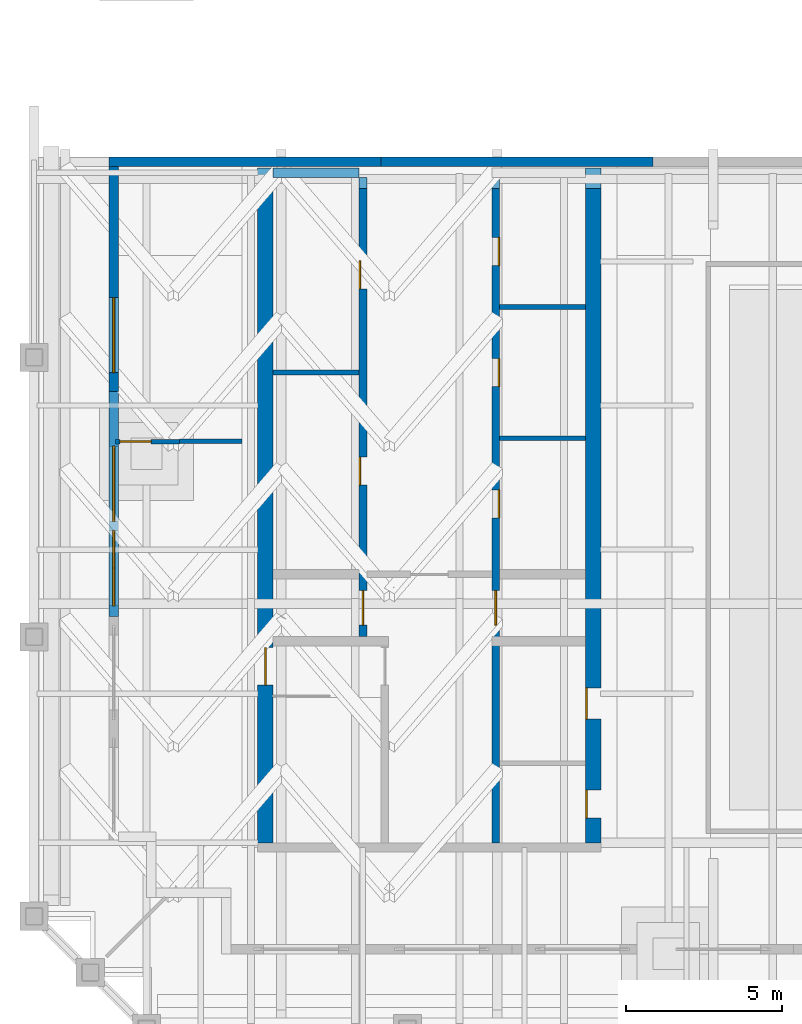
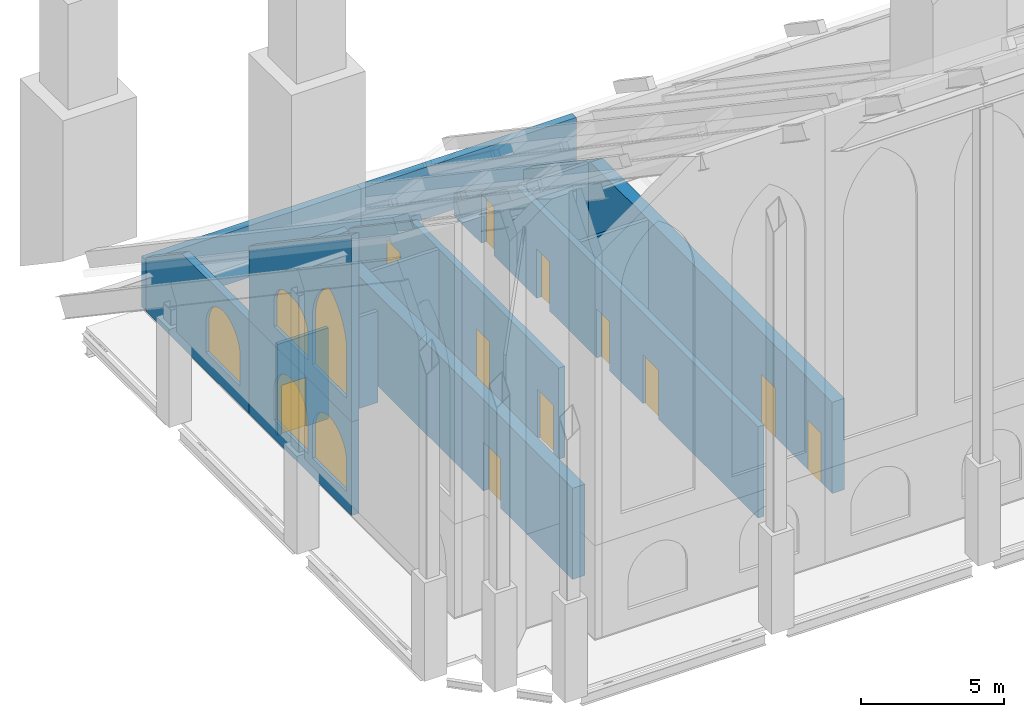
# One storey, part 5 of 9: 15 walls, 11 doors, 5 windows, 16 openings.
"""IFC4 building model written with IfcOpenShell, lengths in metres."""

from ifc_helpers import new_model, si_unit, direction, frame, frame_2d, origin, place, context, subcontext, project, spatial, polyline, rectangle, outline, extrude, material, layer, layer_set, type_object, element, fill, save


model = new_model("IFC4")

# Units and contexts
model_context = context("Model", 3, precision=1e-05, world=origin(), true_north=direction((0.0, 1.0)))
body_context = subcontext(model_context, "Body", "Model", "MODEL_VIEW")
ifc_project = project(units=[si_unit("LENGTHUNIT", "METRE"), si_unit("AREAUNIT", "SQUARE_METRE"), si_unit("VOLUMEUNIT", "CUBIC_METRE"), si_unit("PLANEANGLEUNIT", "RADIAN"), si_unit("MASSUNIT", "GRAM", prefix="KILO")], contexts=[model_context])

# Site, building, storey
site_placement = place(None, origin())
site = spatial("IfcSite", under=ifc_project, at=site_placement, CompositionType="ELEMENT")
building_placement = place(site_placement, origin())
building = spatial("IfcBuilding", under=site, at=building_placement, Name="Ogive Exchange Tower", CompositionType="ELEMENT")
storey_placement = place(building_placement, frame((0.0, 0.0, 394.199951171875)))
storey = spatial("IfcBuildingStorey", under=building, at=storey_placement, Name="C07", CompositionType="ELEMENT", Elevation=394.199951171875)

# Walls
ifc_material_1 = material(Name="Gypsum board partition")
ifc_layer_1 = layer(ifc_material_1, 0.14990234375)
ifc_layer_set_1 = layer_set([ifc_layer_1], Name="Core room partition 150 gypsum")
wall_type_1 = type_object("IfcWallType", Name="Core room partition 150 gypsum", PredefinedType="PARTITIONING", material=ifc_layer_set_1)
for number, where, z_axis, x_axis, name in (
    (1, (-21.0, 12.60009765625, 0.0), (0.0, 0.0, 1.0), (1.0, 0.0, 0.0), "W row A bay partition 1-1"),
    (2, (-13.75, 10.5, 0.0), (0.0, 0.0, 1.0), (1.0, 0.0, 0.0), "W row B bay partition 1-1"),
):
    element("IfcWall", number, at=place(storey_placement, frame(where, z_axis=z_axis, x_axis=x_axis)), inside=storey, type_object=wall_type_1, Name=name, PredefinedType="PARTITIONING", context=body_context, shape_type="SweptSolid", body=[
        extrude(rectangle(XDim=2.75, YDim=0.14990234375, at=frame_2d((1.375, 0.0))), origin(), (0.0, 0.0, 1.0), 3.900146484375),
    ])
wall_1_placement = place(storey_placement, frame((-13.75, 14.699951171875, 0.0), z_axis=(0.0, 0.0, 1.0), x_axis=(1.0, 0.0, 0.0)))
element("IfcWall", 3, at=wall_1_placement, inside=storey, type_object=wall_type_1, Name="W row B bay partition 1-2", PredefinedType="PARTITIONING", context=body_context, shape_type="SweptSolid", body=[
    extrude(outline(polyline([(0.0, 0.0), (2.75, 0.0), (2.75, 3.758056640625), (0.0, 3.758056640625), (0.0, 0.0)])), frame((0.0, 0.074951171875, 0.0), z_axis=(0.0, -1.0, 0.0), x_axis=(1.0, 0.0, 0.0)), (0.0, 0.0, 1.0), 0.14990234375),
])
ifc_layer_2 = layer(ifc_material_1, 0.300048828125)
ifc_layer_set_2 = layer_set([ifc_layer_2], Name="Core room partition 300 gypsum")
wall_type_2 = type_object("IfcWallType", Name="Core room partition 300 gypsum", PredefinedType="PARTITIONING", material=ifc_layer_set_2)
wall_2_placement = place(storey_placement, frame((-21.0, 19.0, 0.0), z_axis=(0.0, 0.0, 1.0), x_axis=(1.0, 0.0, 0.0)))
element("IfcWall", 4, at=wall_2_placement, inside=storey, type_object=wall_type_2, Name="W row A room end wall 7", PredefinedType="PARTITIONING", context=body_context, shape_type="SweptSolid", body=[
    extrude(outline(polyline([(0.0, 0.0), (2.75, 0.0), (2.75, 0.857666015625), (0.0, 0.857666015625), (0.0, 0.0)])), frame((0.0, 0.14990234375, 0.0), z_axis=(0.0, -1.0, 0.0), x_axis=(1.0, 0.0, 0.0)), (0.0, 0.0, 1.0), 0.300048828125),
])

# Wall, opening, door
ifc_material_2 = material(Name="Fire partition EI 60 150")
ifc_layer_3 = layer(ifc_material_2, 0.14990234375)
ifc_layer_set_3 = layer_set([ifc_layer_3], Name="Fire partition EI 60 150")
wall_type_3 = type_object("IfcWallType", Name="Fire partition EI 60 150", PredefinedType="PARTITIONING", material=ifc_layer_set_3)
wall_3_placement = place(storey_placement, frame((-26.050048828125, 10.389892578125, 0.0), z_axis=(0.0, 0.0, 1.0), x_axis=(1.0, 0.0, 0.0)))
wall_3 = element("IfcWall", 5, at=wall_3_placement, inside=storey, type_object=wall_type_3, Name="C07-PWL-001", PredefinedType="PARTITIONING", context=body_context, shape_type="SweptSolid", body=[
    extrude(rectangle(XDim=2.050048828125, YDim=0.14990234375, at=frame_2d((1.02490234375, 0.0))), origin(), (0.0, 0.0, 1.0), 3.900146484375),
])
opening_1_placement = place(wall_3_placement, frame((0.14990234375, 0.0, 0.0)))
opening_1 = element("IfcOpeningElement", 6, at=opening_1_placement, cuts=wall_3, Name="Opening C07-I01", PredefinedType="OPENING", context=body_context, shape_type="SweptSolid", body=[
    extrude(rectangle(XDim=1.0, YDim=2.10009765625, at=frame_2d((0.5, 1.050048828125))), frame((0.0, 0.0849609375, 0.0), z_axis=(0.0, -1.0, 0.0), x_axis=(1.0, 0.0, 0.0)), (0.0, 0.0, 1.0), 0.169921875),
])
ifc_material_3 = material(Name="Fire door FD 30S 1000 x 2100")
door_type_1 = type_object("IfcDoorType", Name="Fire door FD 30S 1000 x 2100", OperationType="NOTDEFINED", PredefinedType="DOOR", material=ifc_material_3)
door_1_placement = place(opening_1_placement, origin())
door_1 = element("IfcDoor", 7, at=door_1_placement, inside=storey, type_object=door_type_1, Name="C07-IDR-001", ObjectType="DT3", OperationType="SINGLE_SWING_RIGHT", OverallHeight=2.10009765625, OverallWidth=1.0, PredefinedType="DOOR", context=body_context, shape_type="SweptSolid", body=[
    extrude(rectangle(XDim=1.0, YDim=2.10009765625, at=frame_2d((0.5, 1.050048828125))), frame((0.0, 0.02490234375, 0.0), z_axis=(0.0, -1.0, 0.0), x_axis=(1.0, 0.0, 0.0)), (0.0, 0.0, 1.0), 0.050048828125),
])
fill(opening_1, door_1)

# Wall
wall_4_placement = place(storey_placement, frame((-24.0, 10.39990234375, 0.0), z_axis=(0.0, 0.0, 1.0), x_axis=(1.0, 0.0, 0.0)))
element("IfcWall", 8, at=wall_4_placement, inside=storey, type_object=wall_type_3, Name="C07-PWL-002", PredefinedType="PARTITIONING", context=body_context, shape_type="SweptSolid", body=[
    extrude(rectangle(XDim=2.0, YDim=0.14990234375, at=frame_2d((1.0, 0.0))), origin(), (0.0, 0.0, 1.0), 3.900146484375),
])

# Wall, openings, doors
ifc_material_4 = material(Name="Concrete C70/85", Category="concrete")
ifc_layer_4 = layer(ifc_material_4, 0.25)
ifc_layer_set_4 = layer_set([ifc_layer_4], Name="RC core wall 250 C70/85")
wall_type_4 = type_object("IfcWallType", Name="RC core wall 250 C70/85", PredefinedType="SHEAR", material=ifc_layer_set_4)
wall_5_placement = place(storey_placement, frame((-18.125, 4.14990234375, 0.0), z_axis=(0.0, 0.0, 1.0), x_axis=(0.0, 1.0, 0.0)))
wall_5 = element("IfcWall", 9, at=wall_5_placement, inside=storey, type_object=wall_type_4, Name="W row A front wall", PredefinedType="SHEAR", context=body_context, shape_type="SweptSolid", body=[
    extrude(outline(polyline([(0.0, 0.0), (14.7001953125, 0.0), (14.699951171875, 0.958740234375), (10.33935546875, 3.900146484375), (0.0, 3.900146484375), (0.0, 0.0)])), frame((0.0, 0.125, 0.0), z_axis=(0.0, -1.0, 0.0), x_axis=(1.0, 0.0, 0.0)), (0.0, 0.0, 1.0), 0.25),
])
opening_2_placement = place(wall_5_placement, frame((4.846435546875, 0.0, 0.0)))
opening_2 = element("IfcOpeningElement", 10, at=opening_2_placement, cuts=wall_5, Name="Opening C07-C01", PredefinedType="OPENING", context=body_context, shape_type="SweptSolid", body=[
    extrude(rectangle(XDim=0.89990234375, YDim=2.10009765625, at=frame_2d((0.449951171875, 1.050048828125))), frame((0.0, 0.135009765625, 0.0), z_axis=(0.0, -1.0, 0.0), x_axis=(1.0, 0.0, 0.0)), (0.0, 0.0, 1.0), 0.27001953125),
])
opening_3_placement = place(wall_5_placement, frame((11.125, 0.0, 0.0)))
opening_3 = element("IfcOpeningElement", 11, at=opening_3_placement, cuts=wall_5, Name="Opening C07-C02", PredefinedType="OPENING", context=body_context, shape_type="SweptSolid", body=[
    extrude(rectangle(XDim=0.89990234375, YDim=2.10009765625, at=frame_2d((0.449951171875, 1.050048828125))), frame((0.0, 0.135009765625, 0.0), z_axis=(0.0, -1.0, 0.0), x_axis=(1.0, 0.0, 0.0)), (0.0, 0.0, 1.0), 0.27001953125),
])
opening_4_placement = place(wall_5_placement, frame((0.371337890625, 0.0, 0.0)))
opening_4 = element("IfcOpeningElement", 12, at=opening_4_placement, cuts=wall_5, Name="Opening C07-C03", PredefinedType="OPENING", context=body_context, shape_type="SweptSolid", body=[
    extrude(rectangle(XDim=1.10009765625, YDim=2.10009765625, at=frame_2d((0.550048828125, 1.050048828125))), frame((0.0, 0.135009765625, 0.0), z_axis=(0.0, -1.0, 0.0), x_axis=(1.0, 0.0, 0.0)), (0.0, 0.0, 1.0), 0.27001953125),
])
ifc_material_5 = material(Name="Stainless steel", Category="steel")
door_type_2 = type_object("IfcDoorType", Name="Lift landing door FD90 1100 x 2100", OperationType="SLIDING_TO_LEFT", PredefinedType="DOOR", material=ifc_material_5)
door_2_placement = place(opening_4_placement, origin())
door_2 = element("IfcDoor", 13, at=door_2_placement, inside=storey, type_object=door_type_2, Name="Lift landing door FF1", ObjectType="LD", OperationType="SLIDING_TO_LEFT", OverallHeight=2.10009765625, OverallWidth=1.10009765625, PredefinedType="DOOR", context=body_context, shape_type="SweptSolid", body=[
    extrude(rectangle(XDim=1.10009765625, YDim=2.10009765625, at=frame_2d((0.550048828125, 1.050048828125))), frame((0.0, 0.02490234375, 0.0), z_axis=(0.0, -1.0, 0.0), x_axis=(1.0, 0.0, 0.0)), (0.0, 0.0, 1.0), 0.050048828125),
])
fill(opening_4, door_2)
ifc_material_6 = material(Name="Steel fire door", Category="steel")
door_type_3 = type_object("IfcDoorType", Name="Riser door FD60 900 x 2100", OperationType="NOTDEFINED", PredefinedType="DOOR", material=ifc_material_6)
door_3_placement = place(opening_2_placement, origin())
door_3 = element("IfcDoor", 14, at=door_3_placement, inside=storey, type_object=door_type_3, Name="Riser door", ObjectType="CD2", OperationType="SINGLE_SWING_RIGHT", OverallHeight=2.10009765625, OverallWidth=0.89990234375, PredefinedType="DOOR", context=body_context, shape_type="SweptSolid", body=[
    extrude(rectangle(XDim=0.89990234375, YDim=2.10009765625, at=frame_2d((0.449951171875, 1.050048828125))), frame((0.0, 0.125, 0.0), z_axis=(0.0, -1.0, 0.0), x_axis=(1.0, 0.0, 0.0)), (0.0, 0.0, 1.0), 0.050048828125),
])
fill(opening_2, door_3)
door_4_placement = place(opening_3_placement, origin())
door_4 = element("IfcDoor", 15, at=door_4_placement, inside=storey, type_object=door_type_3, Name="Riser door", ObjectType="CD2", OperationType="SINGLE_SWING_RIGHT", OverallHeight=2.10009765625, OverallWidth=0.89990234375, PredefinedType="DOOR", context=body_context, shape_type="SweptSolid", body=[
    extrude(rectangle(XDim=0.89990234375, YDim=2.10009765625, at=frame_2d((0.449951171875, 1.050048828125))), frame((0.0, 0.125, 0.0), z_axis=(0.0, -1.0, 0.0), x_axis=(1.0, 0.0, 0.0)), (0.0, 0.0, 1.0), 0.050048828125),
])
fill(opening_3, door_4)

wall_6_placement = place(storey_placement, frame((-13.875, -2.449951171875, 0.0), z_axis=(0.0, 0.0, 1.0), x_axis=(0.0, 1.0, 0.0)))
wall_6 = element("IfcWall", 16, at=wall_6_placement, inside=storey, type_object=wall_type_4, Name="W row B front wall", PredefinedType="SHEAR", context=body_context, shape_type="SweptSolid", body=[
    extrude(outline(polyline([(0.0, 0.0), (21.300048828125, 0.0), (21.300048828125, 0.958740234375), (16.939453125, 3.900146484375), (0.0, 3.900146484375), (0.0, 0.0)])), frame((0.0, 0.125, 0.0), z_axis=(0.0, -1.0, 0.0), x_axis=(1.0, 0.0, 0.0)), (0.0, 0.0, 1.0), 0.25),
])
opening_5_placement = place(wall_6_placement, frame((10.396484375, 0.0, 0.0)))
opening_5 = element("IfcOpeningElement", 17, at=opening_5_placement, cuts=wall_6, Name="Opening C07-C04", PredefinedType="OPENING", context=body_context, shape_type="SweptSolid", body=[
    extrude(rectangle(XDim=0.89990234375, YDim=2.10009765625, at=frame_2d((0.449951171875, 1.050048828125))), frame((0.0, 0.135009765625, 0.0), z_axis=(0.0, -1.0, 0.0), x_axis=(1.0, 0.0, 0.0)), (0.0, 0.0, 1.0), 0.27001953125),
])
opening_6_placement = place(wall_6_placement, frame((14.60009765625, 0.0, 0.0)))
opening_6 = element("IfcOpeningElement", 18, at=opening_6_placement, cuts=wall_6, Name="Opening C07-C05", PredefinedType="OPENING", context=body_context, shape_type="SweptSolid", body=[
    extrude(rectangle(XDim=0.89990234375, YDim=2.10009765625, at=frame_2d((0.449951171875, 1.050048828125))), frame((0.0, 0.135009765625, 0.0), z_axis=(0.0, -1.0, 0.0), x_axis=(1.0, 0.0, 0.0)), (0.0, 0.0, 1.0), 0.27001953125),
])
opening_7_placement = place(wall_6_placement, frame((18.47509765625, 0.0, 0.0)))
opening_7 = element("IfcOpeningElement", 19, at=opening_7_placement, cuts=wall_6, Name="Opening C07-C06", PredefinedType="OPENING", context=body_context, shape_type="SweptSolid", body=[
    extrude(rectangle(XDim=0.89990234375, YDim=2.10009765625, at=frame_2d((0.449951171875, 1.050048828125))), frame((0.0, 0.135009765625, 0.0), z_axis=(0.0, -1.0, 0.0), x_axis=(1.0, 0.0, 0.0)), (0.0, 0.0, 1.0), 0.27001953125),
])
opening_8_placement = place(wall_6_placement, frame((6.971435546875, 0.0, 0.0)))
opening_8 = element("IfcOpeningElement", 20, at=opening_8_placement, cuts=wall_6, Name="Opening C07-C07", PredefinedType="OPENING", context=body_context, shape_type="SweptSolid", body=[
    extrude(rectangle(XDim=1.10009765625, YDim=2.10009765625, at=frame_2d((0.550048828125, 1.050048828125))), frame((0.0, 0.135009765625, 0.0), z_axis=(0.0, -1.0, 0.0), x_axis=(1.0, 0.0, 0.0)), (0.0, 0.0, 1.0), 0.27001953125),
])
ifc_material_7 = material(Name="Timber fire door", Category="wood")
door_type_4 = type_object("IfcDoorType", Name="Core room door FD30S 900 x 2100", OperationType="NOTDEFINED", PredefinedType="DOOR", material=ifc_material_7)
door_5_placement = place(opening_6_placement, frame((0.89990234375, -0.2001953125, 0.0), z_axis=(0.0, 0.0, 1.0), x_axis=(-1.0, 0.0, 0.0)))
door_5 = element("IfcDoor", 21, at=door_5_placement, inside=storey, type_object=door_type_4, Name="Core room door", ObjectType="CD6", OperationType="SINGLE_SWING_LEFT", OverallHeight=2.10009765625, OverallWidth=0.89990234375, PredefinedType="DOOR", context=body_context, shape_type="SweptSolid", body=[
    extrude(rectangle(XDim=0.89990234375, YDim=2.10009765625, at=frame_2d((0.449951171875, 1.050048828125))), frame((0.0, -0.0751953125, 0.0), z_axis=(0.0, -1.0, 0.0), x_axis=(1.0, 0.0, 0.0)), (0.0, 0.0, 1.0), 0.050048828125),
])
fill(opening_6, door_5)
door_6_placement = place(opening_8_placement, origin())
door_6 = element("IfcDoor", 22, at=door_6_placement, inside=storey, type_object=door_type_2, Name="Lift landing door SV1", ObjectType="LD", OperationType="SLIDING_TO_LEFT", OverallHeight=2.10009765625, OverallWidth=1.10009765625, PredefinedType="DOOR", context=body_context, shape_type="SweptSolid", body=[
    extrude(rectangle(XDim=1.10009765625, YDim=2.10009765625, at=frame_2d((0.550048828125, 1.050048828125))), frame((0.0, 0.02490234375, 0.0), z_axis=(0.0, -1.0, 0.0), x_axis=(1.0, 0.0, 0.0)), (0.0, 0.0, 1.0), 0.050048828125),
])
fill(opening_8, door_6)
door_7_placement = place(opening_5_placement, frame((0.89990234375, -0.2001953125, 0.0), z_axis=(0.0, 0.0, 1.0), x_axis=(-1.0, 0.0, 0.0)))
door_7 = element("IfcDoor", 23, at=door_7_placement, inside=storey, type_object=door_type_3, Name="Riser door", ObjectType="CD2", OperationType="SINGLE_SWING_RIGHT", OverallHeight=2.10009765625, OverallWidth=0.89990234375, PredefinedType="DOOR", context=body_context, shape_type="SweptSolid", body=[
    extrude(rectangle(XDim=0.89990234375, YDim=2.10009765625, at=frame_2d((0.449951171875, 1.050048828125))), frame((0.0, -0.0751953125, 0.0), z_axis=(0.0, -1.0, 0.0), x_axis=(1.0, 0.0, 0.0)), (0.0, 0.0, 1.0), 0.050048828125),
])
fill(opening_5, door_7)
door_8_placement = place(opening_7_placement, frame((0.89990234375, -0.2001953125, 0.0), z_axis=(0.0, 0.0, 1.0), x_axis=(-1.0, 0.0, 0.0)))
door_8 = element("IfcDoor", 24, at=door_8_placement, inside=storey, type_object=door_type_3, Name="Riser door", ObjectType="CD2", OperationType="SINGLE_SWING_RIGHT", OverallHeight=2.10009765625, OverallWidth=0.89990234375, PredefinedType="DOOR", context=body_context, shape_type="SweptSolid", body=[
    extrude(rectangle(XDim=0.89990234375, YDim=2.10009765625, at=frame_2d((0.449951171875, 1.050048828125))), frame((0.0, -0.0751953125, 0.0), z_axis=(0.0, -1.0, 0.0), x_axis=(1.0, 0.0, 0.0)), (0.0, 0.0, 1.0), 0.050048828125),
])
fill(opening_7, door_8)

# Wall, opening, door
ifc_layer_5 = layer(ifc_material_4, 0.5)
ifc_layer_set_5 = layer_set([ifc_layer_5], Name="RC core wall 500 C70/85")
wall_type_5 = type_object("IfcWallType", Name="RC core wall 500 C70/85", PredefinedType="SHEAR", material=ifc_layer_set_5)
wall_7_placement = place(storey_placement, frame((-21.25, -2.449951171875, 0.0), z_axis=(0.0, 0.0, 1.0), x_axis=(0.0, 1.0, 0.0)))
wall_7 = element("IfcWall", 25, at=wall_7_placement, inside=storey, type_object=wall_type_5, Name="W outer wall", PredefinedType="SHEAR", context=body_context, shape_type="SweptSolid", body=[
    extrude(outline(polyline([(0.0, 0.0), (21.60400390625, 0.0), (21.60400390625, 0.753662109375), (16.939453125, 3.900146484375), (0.0, 3.900146484375), (0.0, 0.0)])), frame((0.0, 0.25, 0.0), z_axis=(0.0, -1.0, 0.0), x_axis=(1.0, 0.0, 0.0)), (0.0, 0.0, 1.0), 0.5),
])
opening_9_placement = place(wall_7_placement, frame((5.050048828125, 0.0, 0.0)))
opening_9 = element("IfcOpeningElement", 26, at=opening_9_placement, cuts=wall_7, Name="Opening C07-C10", PredefinedType="OPENING", context=body_context, shape_type="SweptSolid", body=[
    extrude(rectangle(XDim=1.199951171875, YDim=2.10009765625, at=frame_2d((0.60009765625, 1.050048828125))), frame((0.0, 0.260009765625, 0.0), z_axis=(0.0, -1.0, 0.0), x_axis=(1.0, 0.0, 0.0)), (0.0, 0.0, 1.0), 0.52001953125),
])
door_type_5 = type_object("IfcDoorType", Name="Stair door FD90 1200 x 2100", OperationType="NOTDEFINED", PredefinedType="DOOR", material=ifc_material_6)
door_9_placement = place(opening_9_placement, origin())
door_9 = element("IfcDoor", 27, at=door_9_placement, inside=storey, type_object=door_type_5, Name="Stair door", ObjectType="CD5", OperationType="SINGLE_SWING_LEFT", OverallHeight=2.10009765625, OverallWidth=1.199951171875, PredefinedType="DOOR", context=body_context, shape_type="SweptSolid", body=[
    extrude(rectangle(XDim=1.199951171875, YDim=2.10009765625, at=frame_2d((0.60009765625, 1.050048828125))), frame((0.0, 0.02490234375, 0.0), z_axis=(0.0, -1.0, 0.0), x_axis=(1.0, 0.0, 0.0)), (0.0, 0.0, 1.0), 0.050048828125),
])
fill(opening_9, door_9)

# Wall, openings, doors
wall_8_placement = place(storey_placement, frame((-10.75, -2.449951171875, 0.0), z_axis=(0.0, 0.0, 1.0), x_axis=(0.0, 1.0, 0.0)))
wall_8 = element("IfcWall", 28, at=wall_8_placement, inside=storey, type_object=wall_type_5, Name="W inner wall", PredefinedType="SHEAR", context=body_context, shape_type="SweptSolid", body=[
    extrude(outline(polyline([(0.0, 0.0), (21.60400390625, 0.0), (21.60400390625, 0.753662109375), (16.939453125, 3.900146484375), (0.0, 3.900146484375), (0.0, 0.0)])), frame((0.0, 0.25, 0.0), z_axis=(0.0, -1.0, 0.0), x_axis=(1.0, 0.0, 0.0)), (0.0, 0.0, 1.0), 0.5),
])
opening_10_placement = place(wall_8_placement, frame((0.78759765625, 0.0, 0.0)))
opening_10 = element("IfcOpeningElement", 29, at=opening_10_placement, cuts=wall_8, Name="Opening C07-C11", PredefinedType="OPENING", context=body_context, shape_type="SweptSolid", body=[
    extrude(rectangle(XDim=0.89990234375, YDim=2.10009765625, at=frame_2d((0.449951171875, 1.050048828125))), frame((0.0, 0.260009765625, 0.0), z_axis=(0.0, -1.0, 0.0), x_axis=(1.0, 0.0, 0.0)), (0.0, 0.0, 1.0), 0.52001953125),
])
opening_11_placement = place(wall_8_placement, frame((3.96240234375, 0.0, 0.0)))
opening_11 = element("IfcOpeningElement", 30, at=opening_11_placement, cuts=wall_8, Name="Opening C07-C12", PredefinedType="OPENING", context=body_context, shape_type="SweptSolid", body=[
    extrude(rectangle(XDim=1.0, YDim=2.10009765625, at=frame_2d((0.5, 1.050048828125))), frame((0.0, 0.260009765625, 0.0), z_axis=(0.0, -1.0, 0.0), x_axis=(1.0, 0.0, 0.0)), (0.0, 0.0, 1.0), 0.52001953125),
])
door_type_6 = type_object("IfcDoorType", Name="Accessible WC door FD30S 1000 x 2100", OperationType="NOTDEFINED", PredefinedType="DOOR", material=ifc_material_7)
door_10_placement = place(opening_11_placement, frame((1.0, 0.4501953125, 0.0), z_axis=(0.0, 0.0, 1.0), x_axis=(-1.0, 0.0, 0.0)))
door_10 = element("IfcDoor", 31, at=door_10_placement, inside=storey, type_object=door_type_6, Name="Accessible WC door", ObjectType="CD7", OperationType="SINGLE_SWING_RIGHT", OverallHeight=2.10009765625, OverallWidth=1.0, PredefinedType="DOOR", context=body_context, shape_type="SweptSolid", body=[
    extrude(rectangle(XDim=1.0, YDim=2.10009765625, at=frame_2d((0.5, 1.050048828125))), frame((0.0, 0.25, 0.0), z_axis=(0.0, -1.0, 0.0), x_axis=(1.0, 0.0, 0.0)), (0.0, 0.0, 1.0), 0.050048828125),
])
fill(opening_11, door_10)
door_11_placement = place(opening_10_placement, frame((0.89990234375, 0.4501953125, 0.0), z_axis=(0.0, 0.0, 1.0), x_axis=(-1.0, 0.0, 0.0)))
door_11 = element("IfcDoor", 32, at=door_11_placement, inside=storey, type_object=door_type_4, Name="Core room door", ObjectType="CD6", OperationType="SINGLE_SWING_RIGHT", OverallHeight=2.10009765625, OverallWidth=0.89990234375, PredefinedType="DOOR", context=body_context, shape_type="SweptSolid", body=[
    extrude(rectangle(XDim=0.89990234375, YDim=2.10009765625, at=frame_2d((0.449951171875, 1.050048828125))), frame((0.0, 0.25, 0.0), z_axis=(0.0, -1.0, 0.0), x_axis=(1.0, 0.0, 0.0)), (0.0, 0.0, 1.0), 0.050048828125),
])
fill(opening_10, door_11)

# Walls
ifc_material_8 = material(Name="Precast concrete C40/50", Category="concrete")
ifc_layer_6 = layer(ifc_material_8, 0.300048828125)
ifc_layer_set_6 = layer_set([ifc_layer_6], Name="Zinc-clad crown wall 300")
wall_type_6 = type_object("IfcWallType", Name="Zinc-clad crown wall 300", PredefinedType="STANDARD", material=ifc_layer_set_6)
for number, where, z_axis, x_axis, name in (
    (33, (-8.85009765625, 19.343994140625, 0.0), (0.0, 0.0, 1.0), (-1.0, 0.0, 0.0), "Crown wall 20"),
    (34, (-17.550048828125, 19.343994140625, 0.0), (0.0, 0.0, 1.0), (-1.0, 0.0, 0.0), "Crown wall 21"),
):
    element("IfcWall", number, at=place(storey_placement, frame(where, z_axis=z_axis, x_axis=x_axis)), inside=storey, type_object=wall_type_6, Name=name, PredefinedType="STANDARD", context=body_context, shape_type="SweptSolid", body=[
        extrude(rectangle(XDim=8.699951171875, YDim=0.300048828125, at=frame_2d((4.35009765625, 0.0))), origin(), (0.0, 0.0, 1.0), 2.19970703125),
    ])

# Wall, opening, window
wall_9_placement = place(storey_placement, frame((-26.10009765625, 19.194091796875, 0.0), z_axis=(0.0, 0.0, 1.0), x_axis=(0.0, -1.0, 0.0)))
wall_9 = element("IfcWall", 35, at=wall_9_placement, inside=storey, type_object=wall_type_6, Name="Crown wall 22", PredefinedType="STANDARD", context=body_context, shape_type="SweptSolid", body=[
    extrude(outline(polyline([(0.0, 0.0), (7.197998046875, 0.0), (7.197998046875, 4.0), (2.519287109375, 4.0), (0.0, 2.30078125), (0.0, 0.0)])), frame((0.0, 0.14990234375, 0.0), z_axis=(0.0, -1.0, 0.0), x_axis=(1.0, 0.0, 0.0)), (0.0, 0.0, 1.0), 0.300048828125),
])
opening_12_placement = place(wall_9_placement, frame((4.198486328125, 0.0, 0.800048828125)))
opening_12 = element("IfcOpeningElement", 36, at=opening_12_placement, cuts=wall_9, Name="Opening WC25", PredefinedType="OPENING", context=body_context, shape_type="SweptSolid", body=[
    extrude(outline(polyline([(0.0, 0.0), (2.39990234375, 0.0), (2.39990234375, 1.25), (2.377197265625, 1.48779296875), (2.3095703125, 1.717041015625), (2.19970703125, 1.928955078125), (2.05126953125, 2.116455078125), (1.8701171875, 2.272216796875), (1.662841796875, 2.390625), (1.4365234375, 2.467529296875), (1.199951171875, 2.5), (0.96337890625, 2.467529296875), (0.737060546875, 2.390625), (0.52978515625, 2.272216796875), (0.3486328125, 2.116455078125), (0.2001953125, 1.928955078125), (0.09033203125, 1.717041015625), (0.022705078125, 1.48779296875), (0.0, 1.25), (0.0, 0.0)])), frame((0.0, 0.159912109375, 0.0), z_axis=(0.0, -1.0, 0.0), x_axis=(1.0, 0.0, 0.0)), (0.0, 0.0, 1.0), 0.320068359375),
])
ifc_material_9 = material(Name="Clear glass in bronze frame", Category="glass")
window_type_1 = type_object("IfcWindowType", Name="Crown lancet window 2400 x 2500", PartitioningType="DOUBLE_PANEL_VERTICAL", PredefinedType="WINDOW", material=ifc_material_9)
window_1_placement = place(opening_12_placement, origin())
window_1 = element("IfcWindow", 37, at=window_1_placement, inside=storey, type_object=window_type_1, Name="Crown lancet 22.2", OverallHeight=2.5, OverallWidth=2.39990234375, PartitioningType="DOUBLE_PANEL_VERTICAL", PredefinedType="WINDOW", context=body_context, shape_type="SweptSolid", body=[
    extrude(outline(polyline([(0.0, 0.0), (2.39990234375, 0.0), (2.39990234375, 1.25), (2.377197265625, 1.48779296875), (2.3095703125, 1.717041015625), (2.19970703125, 1.928955078125), (2.05126953125, 2.116455078125), (1.8701171875, 2.272216796875), (1.662841796875, 2.390625), (1.4365234375, 2.467529296875), (1.199951171875, 2.5), (0.96337890625, 2.467529296875), (0.737060546875, 2.390625), (0.52978515625, 2.272216796875), (0.3486328125, 2.116455078125), (0.2001953125, 1.928955078125), (0.09033203125, 1.717041015625), (0.022705078125, 1.48779296875), (0.0, 1.25), (0.0, 0.0)])), frame((0.0, 0.030029296875, 0.0), z_axis=(0.0, -1.0, 0.0), x_axis=(1.0, 0.0, 0.0)), (0.0, 0.0, 1.0), 0.06005859375),
])
fill(opening_12, window_1)

# Wall, openings, windows
wall_10_placement = place(storey_placement, frame((-26.10009765625, 11.99609375, 0.0), z_axis=(0.0, 0.0, 1.0), x_axis=(0.0, -1.0, 0.0)))
wall_10 = element("IfcWall", 38, at=wall_10_placement, inside=storey, type_object=wall_type_6, Name="Crown wall 23", PredefinedType="STANDARD", context=body_context, shape_type="SweptSolid", body=[
    extrude(rectangle(XDim=7.197998046875, YDim=0.300048828125, at=frame_2d((3.59912109375, 0.0))), origin(), (0.0, 0.0, 1.0), 4.0),
])
opening_13_placement = place(wall_10_placement, frame((1.756103515625, 0.0, 0.800048828125)))
opening_13 = element("IfcOpeningElement", 39, at=opening_13_placement, cuts=wall_10, Name="Opening WC25", PredefinedType="OPENING", context=body_context, shape_type="SweptSolid", body=[
    extrude(outline(polyline([(0.0, 0.0), (2.39990234375, 0.0), (2.39990234375, 1.25), (2.377197265625, 1.48779296875), (2.3095703125, 1.717041015625), (2.19970703125, 1.928955078125), (2.05126953125, 2.116455078125), (1.8701171875, 2.272216796875), (1.662841796875, 2.390625), (1.4365234375, 2.467529296875), (1.199951171875, 2.5), (0.96337890625, 2.467529296875), (0.737060546875, 2.390625), (0.52978515625, 2.272216796875), (0.3486328125, 2.116455078125), (0.2001953125, 1.928955078125), (0.09033203125, 1.717041015625), (0.022705078125, 1.48779296875), (0.0, 1.25), (0.0, 0.0)])), frame((0.0, 0.159912109375, 0.0), z_axis=(0.0, -1.0, 0.0), x_axis=(1.0, 0.0, 0.0)), (0.0, 0.0, 1.0), 0.320068359375),
])
opening_14_placement = place(wall_10_placement, frame((4.4560546875, 0.0, 0.800048828125)))
opening_14 = element("IfcOpeningElement", 40, at=opening_14_placement, cuts=wall_10, Name="Opening WC25", PredefinedType="OPENING", context=body_context, shape_type="SweptSolid", body=[
    extrude(outline(polyline([(0.0, 0.0), (2.39990234375, 0.0), (2.39990234375, 1.25), (2.377197265625, 1.48779296875), (2.3095703125, 1.717041015625), (2.19970703125, 1.928955078125), (2.05126953125, 2.116455078125), (1.8701171875, 2.272216796875), (1.662841796875, 2.390625), (1.4365234375, 2.467529296875), (1.199951171875, 2.5), (0.96337890625, 2.467529296875), (0.737060546875, 2.390625), (0.52978515625, 2.272216796875), (0.3486328125, 2.116455078125), (0.2001953125, 1.928955078125), (0.09033203125, 1.717041015625), (0.022705078125, 1.48779296875), (0.0, 1.25), (0.0, 0.0)])), frame((0.0, 0.159912109375, 0.0), z_axis=(0.0, -1.0, 0.0), x_axis=(1.0, 0.0, 0.0)), (0.0, 0.0, 1.0), 0.320068359375),
])
window_2_placement = place(opening_13_placement, origin())
window_2 = element("IfcWindow", 41, at=window_2_placement, inside=storey, type_object=window_type_1, Name="Crown lancet 23.1", OverallHeight=2.5, OverallWidth=2.39990234375, PartitioningType="DOUBLE_PANEL_VERTICAL", PredefinedType="WINDOW", context=body_context, shape_type="SweptSolid", body=[
    extrude(outline(polyline([(0.0, 0.0), (2.39990234375, 0.0), (2.39990234375, 1.25), (2.377197265625, 1.48779296875), (2.3095703125, 1.717041015625), (2.19970703125, 1.928955078125), (2.05126953125, 2.116455078125), (1.8701171875, 2.272216796875), (1.662841796875, 2.390625), (1.4365234375, 2.467529296875), (1.199951171875, 2.5), (0.96337890625, 2.467529296875), (0.737060546875, 2.390625), (0.52978515625, 2.272216796875), (0.3486328125, 2.116455078125), (0.2001953125, 1.928955078125), (0.09033203125, 1.717041015625), (0.022705078125, 1.48779296875), (0.0, 1.25), (0.0, 0.0)])), frame((0.0, 0.030029296875, 0.0), z_axis=(0.0, -1.0, 0.0), x_axis=(1.0, 0.0, 0.0)), (0.0, 0.0, 1.0), 0.06005859375),
])
fill(opening_13, window_2)
window_3_placement = place(opening_14_placement, origin())
window_3 = element("IfcWindow", 42, at=window_3_placement, inside=storey, type_object=window_type_1, Name="Crown lancet 23.2", OverallHeight=2.5, OverallWidth=2.39990234375, PartitioningType="DOUBLE_PANEL_VERTICAL", PredefinedType="WINDOW", context=body_context, shape_type="SweptSolid", body=[
    extrude(outline(polyline([(0.0, 0.0), (2.39990234375, 0.0), (2.39990234375, 1.25), (2.377197265625, 1.48779296875), (2.3095703125, 1.717041015625), (2.19970703125, 1.928955078125), (2.05126953125, 2.116455078125), (1.8701171875, 2.272216796875), (1.662841796875, 2.390625), (1.4365234375, 2.467529296875), (1.199951171875, 2.5), (0.96337890625, 2.467529296875), (0.737060546875, 2.390625), (0.52978515625, 2.272216796875), (0.3486328125, 2.116455078125), (0.2001953125, 1.928955078125), (0.09033203125, 1.717041015625), (0.022705078125, 1.48779296875), (0.0, 1.25), (0.0, 0.0)])), frame((0.0, 0.030029296875, 0.0), z_axis=(0.0, -1.0, 0.0), x_axis=(1.0, 0.0, 0.0)), (0.0, 0.0, 1.0), 0.06005859375),
])
fill(opening_14, window_3)

wall_11_placement = place(storey_placement, frame((-26.10009765625, 11.99609375, 4.0), z_axis=(0.0, 0.0, 1.0), x_axis=(0.0, -1.0, 0.0)))
wall_11 = element("IfcWall", 43, at=wall_11_placement, inside=storey, type_object=wall_type_6, Name="Crown clerestory wall 23", PredefinedType="STANDARD", context=body_context, shape_type="SweptSolid", body=[
    extrude(outline(polyline([(0.0, 0.0), (7.197998046875, 0.0), (7.197998046875, 8.01123046875), (0.0, 3.156005859375), (0.0, 0.0)])), frame((0.0, 0.14990234375, 0.0), z_axis=(0.0, -1.0, 0.0), x_axis=(1.0, 0.0, 0.0)), (0.0, 0.0, 1.0), 0.300048828125),
])
opening_15_placement = place(wall_11_placement, frame((1.756103515625, 0.0, 0.800048828125)))
opening_15 = element("IfcOpeningElement", 44, at=opening_15_placement, cuts=wall_11, Name="Opening WC20", PredefinedType="OPENING", context=body_context, shape_type="SweptSolid", body=[
    extrude(outline(polyline([(0.0, 0.0), (2.39990234375, 0.0), (2.39990234375, 1.0), (2.375732421875, 1.220947265625), (2.303955078125, 1.43115234375), (2.188232421875, 1.620849609375), (2.0341796875, 1.781005859375), (1.848876953125, 1.90380859375), (1.641357421875, 1.9833984375), (1.421630859375, 2.015869140625), (1.199951171875, 2.0), (0.978271484375, 2.015869140625), (0.758544921875, 1.9833984375), (0.551025390625, 1.90380859375), (0.36572265625, 1.781005859375), (0.211669921875, 1.620849609375), (0.095947265625, 1.43115234375), (0.024169921875, 1.220947265625), (0.0, 1.0), (0.0, 0.0)])), frame((0.0, 0.159912109375, 0.0), z_axis=(0.0, -1.0, 0.0), x_axis=(1.0, 0.0, 0.0)), (0.0, 0.0, 1.0), 0.320068359375),
])
opening_16_placement = place(wall_11_placement, frame((4.4560546875, 0.0, 0.800048828125)))
opening_16 = element("IfcOpeningElement", 45, at=opening_16_placement, cuts=wall_11, Name="Opening WC40", PredefinedType="OPENING", context=body_context, shape_type="SweptSolid", body=[
    extrude(outline(polyline([(0.0, 0.0), (2.39990234375, 0.0), (2.39990234375, 2.0), (2.379150390625, 2.305419921875), (2.317626953125, 2.60498046875), (2.21630859375, 2.893798828125), (2.076904296875, 3.166259765625), (1.902099609375, 3.417236328125), (1.695068359375, 3.642578125), (1.459716796875, 3.838134765625), (1.199951171875, 4.0), (0.940185546875, 3.838134765625), (0.704833984375, 3.642578125), (0.497802734375, 3.417236328125), (0.322998046875, 3.166259765625), (0.18359375, 2.893798828125), (0.082275390625, 2.60498046875), (0.020751953125, 2.305419921875), (0.0, 2.0), (0.0, 0.0)])), frame((0.0, 0.159912109375, 0.0), z_axis=(0.0, -1.0, 0.0), x_axis=(1.0, 0.0, 0.0)), (0.0, 0.0, 1.0), 0.320068359375),
])
window_type_2 = type_object("IfcWindowType", Name="Crown lancet window 2400 x 2000", PartitioningType="DOUBLE_PANEL_VERTICAL", PredefinedType="WINDOW", material=ifc_material_9)
window_4_placement = place(opening_15_placement, origin())
window_4 = element("IfcWindow", 46, at=window_4_placement, inside=storey, type_object=window_type_2, Name="Crown lancet 23.1", OverallHeight=2.0, OverallWidth=2.39990234375, PartitioningType="DOUBLE_PANEL_VERTICAL", PredefinedType="WINDOW", context=body_context, shape_type="SweptSolid", body=[
    extrude(outline(polyline([(0.0, 0.0), (2.39990234375, 0.0), (2.39990234375, 1.0), (2.375732421875, 1.220947265625), (2.303955078125, 1.43115234375), (2.188232421875, 1.620849609375), (2.0341796875, 1.781005859375), (1.848876953125, 1.90380859375), (1.641357421875, 1.9833984375), (1.421630859375, 2.015869140625), (1.199951171875, 2.0), (0.978271484375, 2.015869140625), (0.758544921875, 1.9833984375), (0.551025390625, 1.90380859375), (0.36572265625, 1.781005859375), (0.211669921875, 1.620849609375), (0.095947265625, 1.43115234375), (0.024169921875, 1.220947265625), (0.0, 1.0), (0.0, 0.0)])), frame((0.0, 0.030029296875, 0.0), z_axis=(0.0, -1.0, 0.0), x_axis=(1.0, 0.0, 0.0)), (0.0, 0.0, 1.0), 0.06005859375),
])
fill(opening_15, window_4)
window_type_3 = type_object("IfcWindowType", Name="Crown lancet window 2400 x 4000", PartitioningType="DOUBLE_PANEL_VERTICAL", PredefinedType="WINDOW", material=ifc_material_9)
window_5_placement = place(opening_16_placement, origin())
window_5 = element("IfcWindow", 47, at=window_5_placement, inside=storey, type_object=window_type_3, Name="Crown lancet 23.2", OverallHeight=4.0, OverallWidth=2.39990234375, PartitioningType="DOUBLE_PANEL_VERTICAL", PredefinedType="WINDOW", context=body_context, shape_type="SweptSolid", body=[
    extrude(outline(polyline([(0.0, 0.0), (2.39990234375, 0.0), (2.39990234375, 2.0), (2.379150390625, 2.305419921875), (2.317626953125, 2.60498046875), (2.21630859375, 2.893798828125), (2.076904296875, 3.166259765625), (1.902099609375, 3.417236328125), (1.695068359375, 3.642578125), (1.459716796875, 3.838134765625), (1.199951171875, 4.0), (0.940185546875, 3.838134765625), (0.704833984375, 3.642578125), (0.497802734375, 3.417236328125), (0.322998046875, 3.166259765625), (0.18359375, 2.893798828125), (0.082275390625, 2.60498046875), (0.020751953125, 2.305419921875), (0.0, 2.0), (0.0, 0.0)])), frame((0.0, 0.030029296875, 0.0), z_axis=(0.0, -1.0, 0.0), x_axis=(1.0, 0.0, 0.0)), (0.0, 0.0, 1.0), 0.06005859375),
])
fill(opening_16, window_5)

save(model, "model.ifc")
